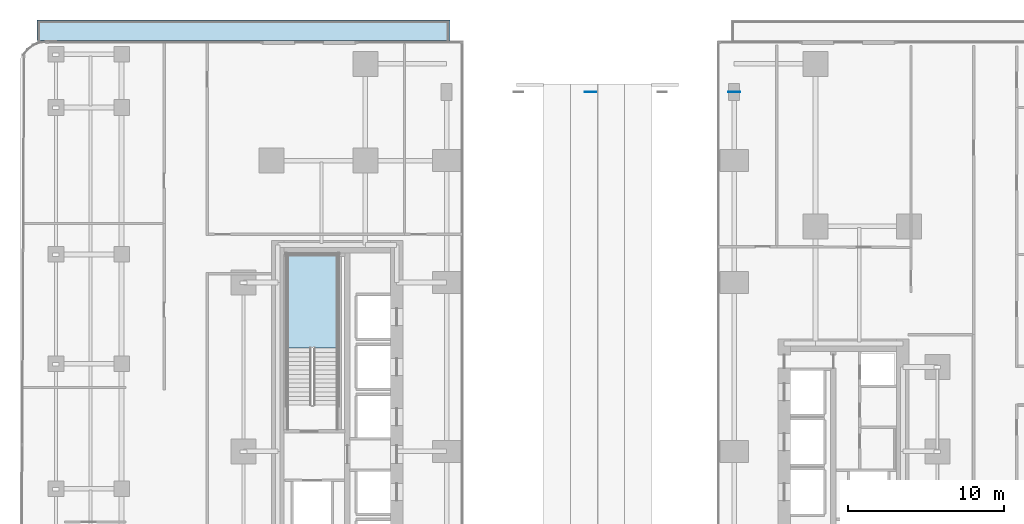
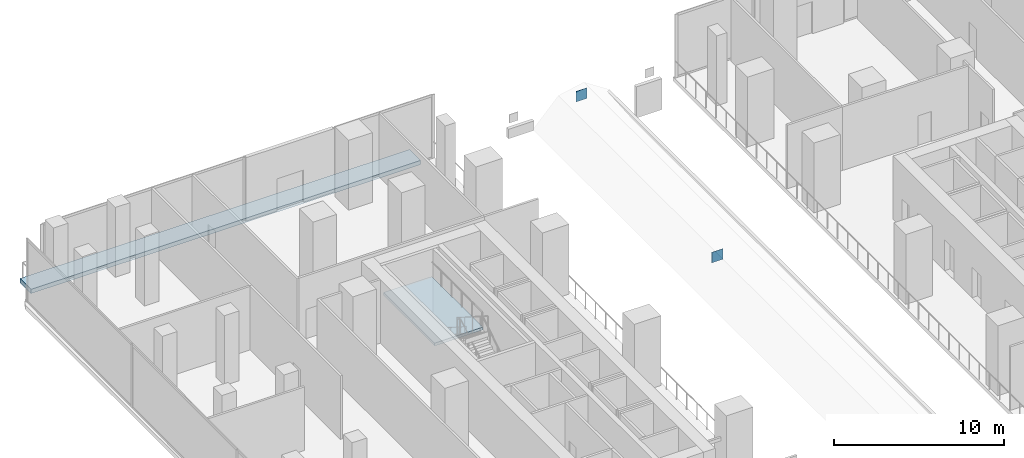
# One storey, part 5 of 32: 2 plates, 2 slabs, 1 element without a shape of its own.
"""IFC4 building model written with IfcOpenShell, lengths in metres."""

from ifc_helpers import new_model, si_unit, direction, frame, origin, origin_2d, place, context, subcontext, project, spatial, polyline, rectangle, outline, extrude, material, layer, layer_set, type_object, element, aggregate, save


model = new_model("IFC4")

# Units and contexts
model_context = context("Model", 3, precision=1e-05, world=origin(), true_north=direction((0.0, 1.0)))
body_context = subcontext(model_context, "Body", "Model", "MODEL_VIEW")
ifc_project = project(units=[si_unit("LENGTHUNIT", "METRE"), si_unit("AREAUNIT", "SQUARE_METRE"), si_unit("VOLUMEUNIT", "CUBIC_METRE"), si_unit("PLANEANGLEUNIT", "RADIAN"), si_unit("MASSUNIT", "GRAM", prefix="KILO")], contexts=[model_context])

# Site, building, storey
site_placement = place(None, origin())
site = spatial("IfcSite", under=ifc_project, at=site_placement, CompositionType="ELEMENT")
building_placement = place(site_placement, origin())
building = spatial("IfcBuilding", under=site, at=building_placement, Name="Khairoan Windgate Tower", CompositionType="ELEMENT")
storey_placement = place(building_placement, frame((0.0, 0.0, 16.0)))
storey = spatial("IfcBuildingStorey", under=building, at=storey_placement, Name="L04", CompositionType="ELEMENT", Elevation=16.0)

# Plates
ifc_material_1 = material(Name="Steel S355", Category="steel")
ifc_layer_1 = layer(ifc_material_1, 0.031982421875, Name="Steel S355")
ifc_layer_set_1 = layer_set([ifc_layer_1], Name="Steel S355")
plate_type = type_object("IfcPlateType", Name="Outrigger Node Gusset Plate PL-GUS32", PredefinedType="SHEET", material=ifc_layer_set_1)
for number, where, z_axis, x_axis, name in (
    (1, (0.0, 23.0, 3.175048828125), (0.0, 0.0, 1.0), (1.0, 0.0, 0.0), "Arch Rib Crown Gusset N-1B"),
    (2, (9.199951171875, 23.0, -11.574951171875), (0.0, 0.0, 1.0), (1.0, 0.0, 0.0), "Arch Rib Crown Gusset N-2B"),
):
    element("IfcPlate", number, at=place(storey_placement, frame(where, z_axis=z_axis, x_axis=x_axis)), inside=storey, type_object=plate_type, Name=name, PredefinedType="SHEET", context=body_context, shape_type="SweptSolid", body=[
        extrude(rectangle(XDim=0.75, YDim=0.031982421875, at=origin_2d()), origin(), (0.0, 0.0, 1.0), 0.75),
    ])

# Slab
ifc_material_2 = material(Name="Concrete C40/50", Category="concrete")
ifc_layer_2 = layer(ifc_material_2, 0.300048828125, Name="Concrete C40/50")
ifc_layer_set_2 = layer_set([ifc_layer_2], Name="Concrete C40/50")
slab_type_1 = type_object("IfcSlabType", Name="Podium Terrace Roof Slab RS1 300mm", PredefinedType="ROOF", material=ifc_layer_set_2)
slab_1_placement = place(storey_placement, frame((0.0, 0.0, -0.300048828125)))
element("IfcSlab", 3, at=slab_1_placement, inside=storey, type_object=slab_type_1, Name="North-West Riverfront Sky Terrace", PredefinedType="ROOF", context=body_context, shape_type="SweptSolid", body=[
    extrude(outline(polyline([(-35.39990234375, 26.300048828125), (-9.0, 26.300048828125), (-9.0, 27.60009765625), (-35.39990234375, 27.60009765625), (-35.39990234375, 26.300048828125)])), origin(), (0.0, 0.0, 1.0), 0.300048828125),
])

# Stair, slab
ifc_material_3 = material(Name="Concrete C40/50", Category="concrete")
stair_type = type_object("IfcStairType", Name="Tower Core Dog-Leg Stair ST-T1 1560mm", PredefinedType="HALF_TURN_STAIR", material=ifc_material_3)
stair_placement = place(storey_placement, origin())
stair = element("IfcStair", 4, at=stair_placement, inside=storey, type_object=stair_type, Name="L04 Stair ST2", PredefinedType="HALF_TURN_STAIR")
ifc_material_4 = material(Name="Concrete C40/50", Category="concrete")
ifc_layer_3 = layer(ifc_material_4, 0.199951171875, Name="Concrete C40/50")
ifc_layer_set_3 = layer_set([ifc_layer_3], Name="Concrete C40/50")
slab_type_2 = type_object("IfcSlabType", Name="Reinforced Concrete Stair Landing Slab STL-200", PredefinedType="LANDING", material=ifc_layer_set_3)
slab_2_placement = place(storey_placement, frame((0.0, 0.0, 2.300048828125)))
slab_2 = element("IfcSlab", 5, at=slab_2_placement, type_object=slab_type_2, Name="ST2 landing 1", PredefinedType="LANDING", context=body_context, shape_type="SweptSolid", body=[
    extrude(outline(polyline([(-16.14990234375, 6.60009765625), (-16.14990234375, 12.60009765625), (-19.419921875, 12.60009765625), (-19.419921875, 6.60009765625), (-16.14990234375, 6.60009765625)])), origin(), (0.0, 0.0, 1.0), 0.199951171875),
])
aggregate(stair, [slab_2])

save(model, "model.ifc")
